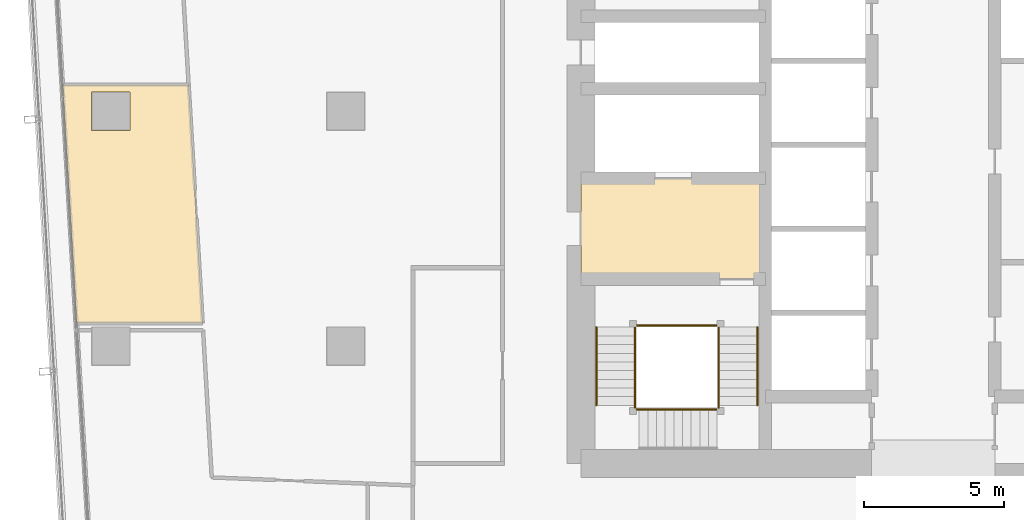
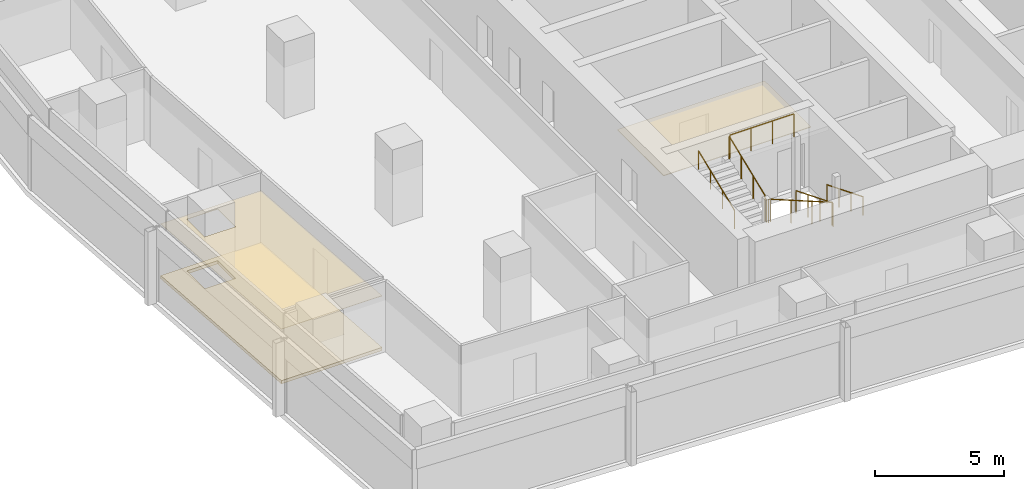
# One storey, part 33 of 39: 9 railings, 3 coverings.
"""IFC4 building model written with IfcOpenShell, lengths in metres."""

from ifc_helpers import new_model, si_unit, direction, frame, origin, origin_2d, place, context, subcontext, project, spatial, polyline, circle, outline, extrude, material, layer, layer_set, type_object, element, save


model = new_model("IFC4")

# Units and contexts
model_context = context("Model", 3, precision=1e-05, world=origin(), true_north=direction((0.0, 1.0)))
body_context = subcontext(model_context, "Body", "Model", "MODEL_VIEW")
ifc_project = project(units=[si_unit("LENGTHUNIT", "METRE"), si_unit("AREAUNIT", "SQUARE_METRE"), si_unit("VOLUMEUNIT", "CUBIC_METRE"), si_unit("PLANEANGLEUNIT", "RADIAN"), si_unit("MASSUNIT", "GRAM", prefix="KILO")], contexts=[model_context])

# Site, building, storey
site_placement = place(None, origin())
site = spatial("IfcSite", under=ifc_project, at=site_placement, CompositionType="ELEMENT")
building_placement = place(site_placement, origin())
building = spatial("IfcBuilding", under=site, at=building_placement, Name="Rekha Terrace Tower", CompositionType="ELEMENT")
storey_placement = place(building_placement, frame((0.0, 0.0, 187.699951171875)))
storey = spatial("IfcBuildingStorey", under=building, at=storey_placement, Name="L47", CompositionType="ELEMENT", Elevation=187.699951171875)

# Coverings
ifc_material_1 = material(Name="Mineral fibre tile in exposed grid", Category="finish")
ifc_layer_1 = layer(ifc_material_1, 0.02001953125)
ifc_layer_set_1 = layer_set([ifc_layer_1], Name="Mineral fibre tile in exposed grid")
covering_type_1 = type_object("IfcCoveringType", Name="CL1 600x1200 office grid ceiling", PredefinedType="CEILING", material=ifc_layer_set_1)
covering_1_placement = place(storey_placement, frame((0.0, 0.0, 2.580078125)))
element("IfcCovering", 1, at=covering_1_placement, inside=storey, type_object=covering_type_1, Name="Ceiling L47-21", PredefinedType="CEILING", context=body_context, shape_type="SweptSolid", body=[
    extrude(outline(polyline([(11.178955078125, 34.535888671875), (6.6708984375, 34.535888671875), (7.172119140625, 26.02392578125), (11.679931640625, 26.02392578125), (11.178955078125, 34.535888671875)]), holes=[polyline([(9.090087890625, 34.2900390625), (9.090087890625, 32.909912109375), (7.7099609375, 32.909912109375), (7.7099609375, 34.2900390625), (9.090087890625, 34.2900390625)])]), origin(), (0.0, 0.0, 1.0), 0.02001953125),
])
ifc_material_2 = material(Name="Powder-coated aluminium pan", Category="aluminium")
ifc_layer_2 = layer(ifc_material_2, 0.030029296875)
ifc_layer_set_2 = layer_set([ifc_layer_2], Name="Powder-coated aluminium pan")
covering_type_2 = type_object("IfcCoveringType", Name="CL3 300x1200 metal pan ceiling", PredefinedType="CEILING", material=ifc_layer_set_2)
covering_2_placement = place(storey_placement, frame((0.0, 0.0, 2.570068359375)))
element("IfcCovering", 2, at=covering_2_placement, inside=storey, type_object=covering_type_2, Name="Ceiling L47-FLB1", PredefinedType="CEILING", context=body_context, shape_type="SweptSolid", body=[
    extrude(outline(polyline([(31.800048828125, 31.199951171875), (25.199951171875, 31.199951171875), (25.199951171875, 27.60009765625), (31.800048828125, 27.60009765625), (31.800048828125, 31.199951171875)])), origin(), (0.0, 0.0, 1.0), 0.030029296875),
])

# Railings
ifc_material_3 = material(Name="Stainless steel balustrade", Category="steel")
railing_type_1 = type_object("IfcRailingType", Name="GR1 1100 stair guard", PredefinedType="GUARDRAIL", material=ifc_material_3)
railing_1_placement = place(storey_placement, frame((30.135009765625, 25.875, 0.125)))
element("IfcRailing", 3, at=railing_1_placement, inside=storey, type_object=railing_type_1, Name="Guard ST1 L47 flight 1", PredefinedType="GUARDRAIL", context=body_context, shape_type="SweptSolid", body=[
    extrude(circle(Radius=0.02392578125, at=origin_2d()), frame((0.0, 0.0, 1.076171875), z_axis=(0.0, -0.927443287984, 0.373963831907), x_axis=(1.0, 0.0, 0.0)), (0.0, 0.0, 1.0), 3.00830078125),
    extrude(circle(Radius=0.02099609375, at=origin_2d()), origin(), (0.0, 0.0, 1.0), 1.052001953125),
    extrude(circle(Radius=0.02099609375, at=origin_2d()), frame((0.0, -0.929931640625, 0.375)), (0.0, 0.0, 1.0), 1.052001953125),
    extrude(circle(Radius=0.02099609375, at=origin_2d()), frame((0.0, -1.860107421875, 0.75)), (0.0, 0.0, 1.0), 1.052001953125),
    extrude(circle(Radius=0.02099609375, at=origin_2d()), frame((0.0, -2.7900390625, 1.125)), (0.0, 0.0, 1.0), 1.052001953125),
])
railing_2_placement = place(storey_placement, frame((30.074951171875, 22.93994140625, 1.375)))
element("IfcRailing", 4, at=railing_2_placement, inside=storey, type_object=railing_type_1, Name="Guard ST1 L47 flight 2", PredefinedType="GUARDRAIL", context=body_context, shape_type="SweptSolid", body=[
    extrude(circle(Radius=0.02392578125, at=origin_2d()), frame((0.0, 0.0, 1.076171875), z_axis=(-0.927443287984, 0.0, 0.373963831907), x_axis=(0.0, -1.0, 0.0)), (0.0, 0.0, 1.0), 3.00830078125),
    extrude(circle(Radius=0.02099609375, at=origin_2d()), origin(), (0.0, 0.0, 1.0), 1.052001953125),
    extrude(circle(Radius=0.02099609375, at=origin_2d()), frame((-0.929931640625, 0.0, 0.375)), (0.0, 0.0, 1.0), 1.052001953125),
    extrude(circle(Radius=0.02099609375, at=origin_2d()), frame((-1.860107421875, 0.0, 0.75)), (0.0, 0.0, 1.0), 1.052001953125),
    extrude(circle(Radius=0.02099609375, at=origin_2d()), frame((-2.7900390625, 0.0, 1.125)), (0.0, 0.0, 1.0), 1.052001953125),
])
railing_3_placement = place(storey_placement, frame((27.139892578125, 23.0849609375, 2.625)))
element("IfcRailing", 5, at=railing_3_placement, inside=storey, type_object=railing_type_1, Name="Guard ST1 L47 flight 3", PredefinedType="GUARDRAIL", context=body_context, shape_type="SweptSolid", body=[
    extrude(circle(Radius=0.02392578125, at=origin_2d()), frame((0.0, 0.0, 1.076171875), z_axis=(0.0, 0.927443287984, 0.373963831907), x_axis=(-1.0, 0.0, 0.0)), (0.0, 0.0, 1.0), 3.00830078125),
    extrude(circle(Radius=0.02099609375, at=origin_2d()), origin(), (0.0, 0.0, 1.0), 1.052001953125),
    extrude(circle(Radius=0.02099609375, at=origin_2d()), frame((0.0, 0.929931640625, 0.375)), (0.0, 0.0, 1.0), 1.052001953125),
    extrude(circle(Radius=0.02099609375, at=origin_2d()), frame((0.0, 1.860107421875, 0.75)), (0.0, 0.0, 1.0), 1.052001953125),
    extrude(circle(Radius=0.02099609375, at=origin_2d()), frame((0.0, 2.7900390625, 1.125)), (0.0, 0.0, 1.0), 1.052001953125),
])
railing_4_placement = place(storey_placement, frame((30.135009765625, 23.0849609375, 1.25)))
element("IfcRailing", 6, at=railing_4_placement, inside=storey, type_object=railing_type_1, Name="Guard ST1 L47 landing 1", PredefinedType="GUARDRAIL", context=body_context, shape_type="SweptSolid", body=[
    extrude(circle(Radius=0.02392578125, at=origin_2d()), frame((0.0, 0.0, 1.076171875), z_axis=(0.0, -1.0, 0.0), x_axis=(1.0, 0.0, 0.0)), (0.0, 0.0, 1.0), 0.0849609375),
    extrude(circle(Radius=0.02099609375, at=origin_2d()), origin(), (0.0, 0.0, 1.0), 1.052001953125),
    extrude(circle(Radius=0.02099609375, at=origin_2d()), frame((0.0, -0.0849609375, 0.0)), (0.0, 0.0, 1.0), 1.052001953125),
])
railing_5_placement = place(storey_placement, frame((27.284912109375, 22.93994140625, 2.5)))
element("IfcRailing", 7, at=railing_5_placement, inside=storey, type_object=railing_type_1, Name="Guard ST1 L47 landing 2", PredefinedType="GUARDRAIL", context=body_context, shape_type="SweptSolid", body=[
    extrude(circle(Radius=0.02392578125, at=origin_2d()), frame((0.0, 0.0, 1.076171875), z_axis=(-1.0, 0.0, 0.0), x_axis=(0.0, -1.0, 0.0)), (0.0, 0.0, 1.0), 0.0849609375),
    extrude(circle(Radius=0.02099609375, at=origin_2d()), origin(), (0.0, 0.0, 1.0), 1.052001953125),
    extrude(circle(Radius=0.02099609375, at=origin_2d()), frame((-0.0849609375, 0.0, 0.0)), (0.0, 0.0, 1.0), 1.052001953125),
])
railing_6_placement = place(storey_placement, frame((27.139892578125, 23.0849609375, 2.5)))
element("IfcRailing", 8, at=railing_6_placement, inside=storey, type_object=railing_type_1, Name="Guard ST1 L47 landing 3", PredefinedType="GUARDRAIL", context=body_context, shape_type="SweptSolid", body=[
    extrude(circle(Radius=0.02392578125, at=origin_2d()), frame((0.0, 0.0, 1.076171875), z_axis=(0.0, -1.0, 0.0), x_axis=(1.0, 0.0, 0.0)), (0.0, 0.0, 1.0), 0.0849609375),
    extrude(circle(Radius=0.02099609375, at=origin_2d()), origin(), (0.0, 0.0, 1.0), 1.052001953125),
    extrude(circle(Radius=0.02099609375, at=origin_2d()), frame((0.0, -0.0849609375, 0.0)), (0.0, 0.0, 1.0), 1.052001953125),
])
railing_7_placement = place(storey_placement, frame((30.074951171875, 25.93505859375, 3.75)))
element("IfcRailing", 9, at=railing_7_placement, inside=storey, type_object=railing_type_1, Name="Guard ST1 L47 landing 4", PredefinedType="GUARDRAIL", context=body_context, shape_type="SweptSolid", body=[
    extrude(circle(Radius=0.02392578125, at=origin_2d()), frame((0.0, 0.0, 1.076171875), z_axis=(-1.0, 0.0, 0.0), x_axis=(0.0, -1.0, 0.0)), (0.0, 0.0, 1.0), 2.875),
    extrude(circle(Radius=0.02099609375, at=origin_2d()), origin(), (0.0, 0.0, 1.0), 1.052001953125),
    extrude(circle(Radius=0.02099609375, at=origin_2d()), frame((-0.958251953125, 0.0, 0.0)), (0.0, 0.0, 1.0), 1.052001953125),
    extrude(circle(Radius=0.02099609375, at=origin_2d()), frame((-1.916748046875, 0.0, 0.0)), (0.0, 0.0, 1.0), 1.052001953125),
    extrude(circle(Radius=0.02099609375, at=origin_2d()), frame((-2.875, 0.0, 0.0)), (0.0, 0.0, 1.0), 1.052001953125),
])
ifc_material_4 = material(Name="Stainless steel tube", Category="steel")
railing_type_2 = type_object("IfcRailingType", Name="HR1 900 stair handrail", PredefinedType="HANDRAIL", material=ifc_material_4)
railing_8_placement = place(storey_placement, frame((31.514892578125, 25.875, 0.125)))
element("IfcRailing", 10, at=railing_8_placement, inside=storey, type_object=railing_type_2, Name="Handrail ST1 L47 flight 1", PredefinedType="HANDRAIL", context=body_context, shape_type="SweptSolid", body=[
    extrude(circle(Radius=0.02392578125, at=origin_2d()), frame((0.0, 0.0, 0.8759765625), z_axis=(0.0, -0.927443287984, 0.373963831907), x_axis=(1.0, 0.0, 0.0)), (0.0, 0.0, 1.0), 3.00830078125),
    extrude(circle(Radius=0.02099609375, at=origin_2d()), origin(), (0.0, 0.0, 1.0), 0.851806640625),
    extrude(circle(Radius=0.02099609375, at=origin_2d()), frame((0.0, -0.929931640625, 0.375)), (0.0, 0.0, 1.0), 0.851806640625),
    extrude(circle(Radius=0.02099609375, at=origin_2d()), frame((0.0, -1.860107421875, 0.75)), (0.0, 0.0, 1.0), 0.851806640625),
    extrude(circle(Radius=0.02099609375, at=origin_2d()), frame((0.0, -2.7900390625, 1.125)), (0.0, 0.0, 1.0), 0.851806640625),
])
railing_9_placement = place(storey_placement, frame((25.760009765625, 23.0849609375, 2.625)))
element("IfcRailing", 11, at=railing_9_placement, inside=storey, type_object=railing_type_2, Name="Handrail ST1 L47 flight 3", PredefinedType="HANDRAIL", context=body_context, shape_type="SweptSolid", body=[
    extrude(circle(Radius=0.02392578125, at=origin_2d()), frame((0.0, 0.0, 0.8759765625), z_axis=(0.0, 0.927443287984, 0.373963831907), x_axis=(-1.0, 0.0, 0.0)), (0.0, 0.0, 1.0), 3.00830078125),
    extrude(circle(Radius=0.02099609375, at=origin_2d()), origin(), (0.0, 0.0, 1.0), 0.851806640625),
    extrude(circle(Radius=0.02099609375, at=origin_2d()), frame((0.0, 0.929931640625, 0.375)), (0.0, 0.0, 1.0), 0.851806640625),
    extrude(circle(Radius=0.02099609375, at=origin_2d()), frame((0.0, 1.860107421875, 0.75)), (0.0, 0.0, 1.0), 0.851806640625),
    extrude(circle(Radius=0.02099609375, at=origin_2d()), frame((0.0, 2.7900390625, 1.125)), (0.0, 0.0, 1.0), 0.851806640625),
])

# Covering
ifc_material_5 = material(Name="Calcium sulphate panels on steel pedestals", Category="steel")
ifc_layer_3 = layer(ifc_material_5, 0.14990234375)
ifc_layer_set_3 = layer_set([ifc_layer_3], Name="Calcium sulphate panels on steel pedestals")
covering_type_3 = type_object("IfcCoveringType", Name="RF1 150 raised access floor", PredefinedType="FLOORING", material=ifc_layer_set_3)
covering_3_placement = place(storey_placement, origin())
element("IfcCovering", 12, at=covering_3_placement, inside=storey, type_object=covering_type_3, Name="Raised floor L47-21", PredefinedType="FLOORING", context=body_context, shape_type="SweptSolid", body=[
    extrude(outline(polyline([(11.178955078125, 34.535888671875), (6.6708984375, 34.535888671875), (7.172119140625, 26.02392578125), (11.679931640625, 26.02392578125), (11.178955078125, 34.535888671875)]), holes=[polyline([(9.090087890625, 34.2900390625), (9.090087890625, 32.909912109375), (7.7099609375, 32.909912109375), (7.7099609375, 34.2900390625), (9.090087890625, 34.2900390625)])]), origin(), (0.0, 0.0, 1.0), 0.150146484375),
])

save(model, "model.ifc")
